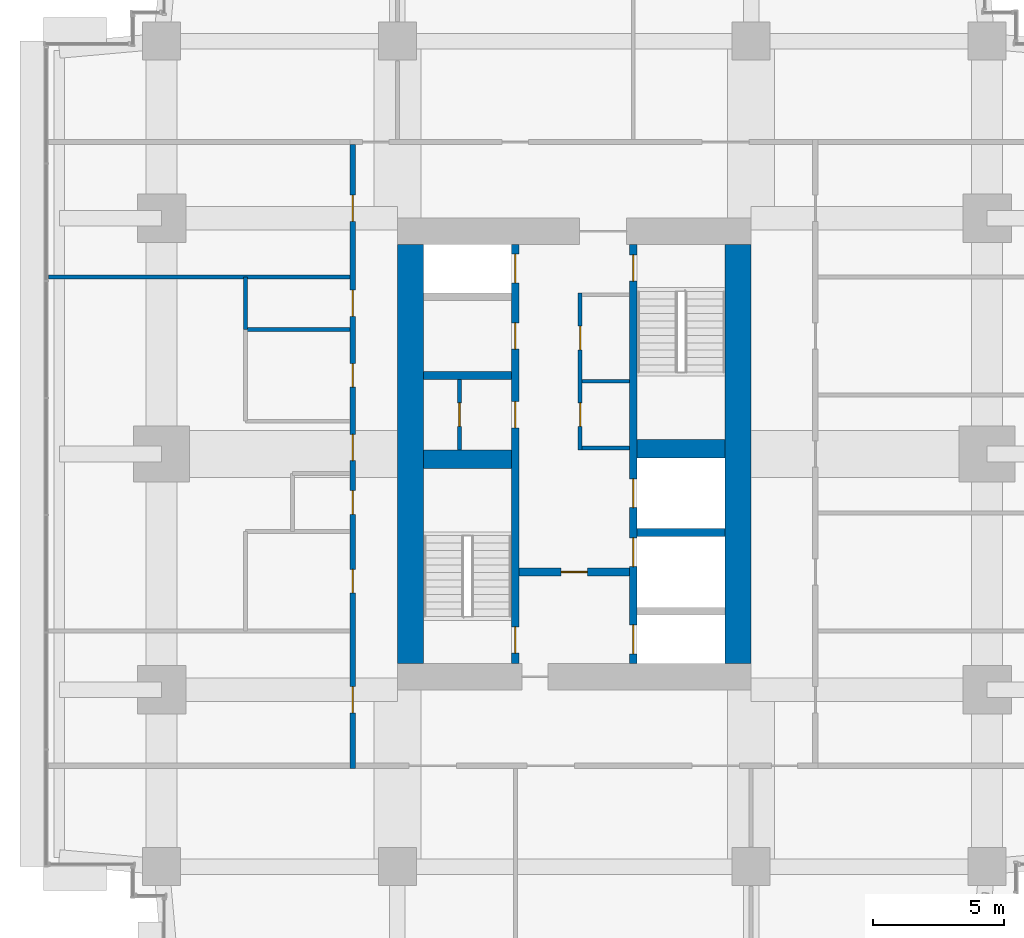
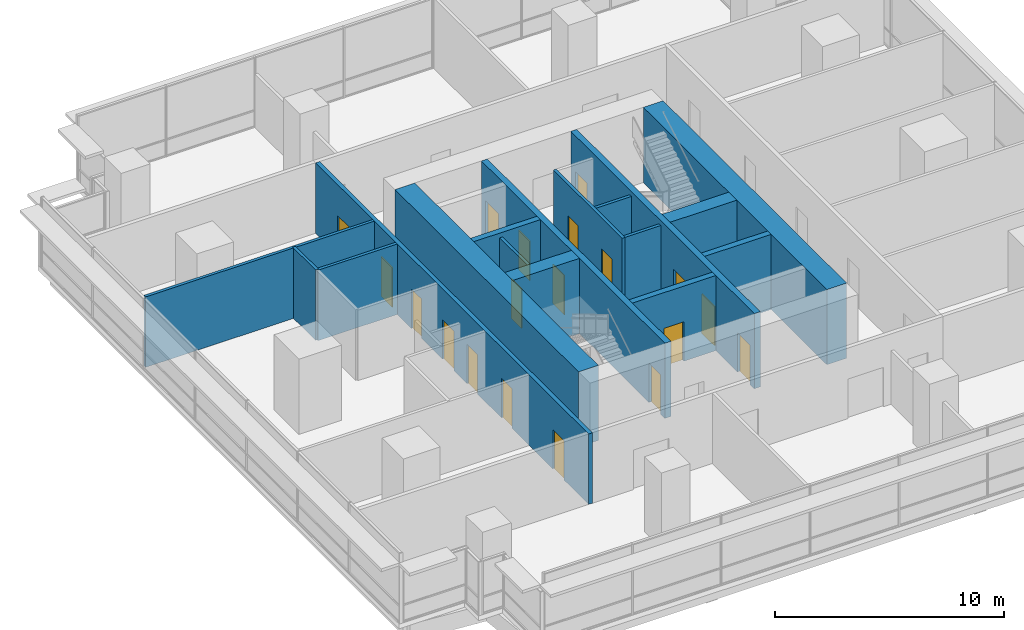
# One storey, part 12 of 14: 19 doors, 17 walls, 19 openings.
"""IFC4 building model written with IfcOpenShell, lengths in metres."""

from ifc_helpers import new_model, si_unit, direction, frame, frame_2d, origin, place, context, subcontext, project, spatial, rectangle, extrude, material, layer, layer_set, type_object, element, fill, save


model = new_model("IFC4")

# Units and contexts
model_context = context("Model", 3, precision=1e-05, world=origin(), true_north=direction((0.0, 1.0)))
body_context = subcontext(model_context, "Body", "Model", "MODEL_VIEW")
ifc_project = project(units=[si_unit("LENGTHUNIT", "METRE"), si_unit("AREAUNIT", "SQUARE_METRE"), si_unit("VOLUMEUNIT", "CUBIC_METRE"), si_unit("PLANEANGLEUNIT", "RADIAN"), si_unit("MASSUNIT", "GRAM", prefix="KILO")], contexts=[model_context])

# Site, building, storey
site_placement = place(None, origin())
site = spatial("IfcSite", under=ifc_project, at=site_placement, CompositionType="ELEMENT")
building_placement = place(site_placement, origin())
building = spatial("IfcBuilding", under=site, at=building_placement, Name="Namib Vertical Campus", CompositionType="ELEMENT")
storey_placement = place(building_placement, frame((0.0, 0.0, 269.0)))
storey = spatial("IfcBuildingStorey", under=building, at=storey_placement, Name="L63", CompositionType="ELEMENT", Elevation=269.0)

# Wall, openings, doors
ifc_material_1 = material(Name="Concrete C60/75", Category="concrete")
ifc_layer_1 = layer(ifc_material_1, 0.300048828125)
ifc_layer_set_1 = layer_set([ifc_layer_1], Name="Concrete C60/75")
wall_type_1 = type_object("IfcWallType", Name="Core inner wall 300", PredefinedType="SHEAR", material=ifc_layer_set_1)
wall_1_placement = place(storey_placement, frame((18.0, 12.25, 0.0), z_axis=(0.0, 0.0, 1.0), x_axis=(0.0, 1.0, 0.0)))
wall_1 = element("IfcWall", 1, at=wall_1_placement, inside=storey, type_object=wall_type_1, Name="Core inner wall A L63 W1", PredefinedType="SHEAR", context=body_context, shape_type="SweptSolid", body=[
    extrude(rectangle(XDim=16.0, YDim=0.300048828125, at=frame_2d((8.0, 0.0))), origin(), (0.0, 0.0, 1.0), 4.0),
])
opening_1_placement = place(wall_1_placement, frame((0.39990234375, 0.0, 0.0)))
opening_1 = element("IfcOpeningElement", 2, at=opening_1_placement, cuts=wall_1, Name="Opening FD1", PredefinedType="OPENING", context=body_context, shape_type="SweptSolid", body=[
    extrude(rectangle(XDim=1.0, YDim=2.10009765625, at=frame_2d((0.5, 1.050048828125))), frame((0.0, 0.159912109375, 0.0), z_axis=(0.0, -1.0, 0.0), x_axis=(1.0, 0.0, 0.0)), (0.0, 0.0, 1.0), 0.320068359375),
])
opening_2_placement = place(wall_1_placement, frame((14.52490234375, 0.0, 0.0)))
opening_2 = element("IfcOpeningElement", 3, at=opening_2_placement, cuts=wall_1, Name="Opening LD1", PredefinedType="OPENING", context=body_context, shape_type="SweptSolid", body=[
    extrude(rectangle(XDim=1.10009765625, YDim=2.10009765625, at=frame_2d((0.550048828125, 1.050048828125))), frame((0.0, 0.159912109375, 0.0), z_axis=(0.0, -1.0, 0.0), x_axis=(1.0, 0.0, 0.0)), (0.0, 0.0, 1.0), 0.320068359375),
])
opening_3_placement = place(wall_1_placement, frame((9.0, 0.0, 0.0)))
opening_3 = element("IfcOpeningElement", 4, at=opening_3_placement, cuts=wall_1, Name="Opening D1", PredefinedType="OPENING", context=body_context, shape_type="SweptSolid", body=[
    extrude(rectangle(XDim=1.0, YDim=2.10009765625, at=frame_2d((0.5, 1.050048828125))), frame((0.0, 0.159912109375, 0.0), z_axis=(0.0, -1.0, 0.0), x_axis=(1.0, 0.0, 0.0)), (0.0, 0.0, 1.0), 0.320068359375),
])
opening_4_placement = place(wall_1_placement, frame((12.0, 0.0, 0.0)))
opening_4 = element("IfcOpeningElement", 5, at=opening_4_placement, cuts=wall_1, Name="Opening D1", PredefinedType="OPENING", context=body_context, shape_type="SweptSolid", body=[
    extrude(rectangle(XDim=1.0, YDim=2.10009765625, at=frame_2d((0.5, 1.050048828125))), frame((0.0, 0.159912109375, 0.0), z_axis=(0.0, -1.0, 0.0), x_axis=(1.0, 0.0, 0.0)), (0.0, 0.0, 1.0), 0.320068359375),
])
ifc_material_2 = material(Name="Timber door leaf", Category="wood")
door_type_1 = type_object("IfcDoorType", Name="Door single 1000x2100", OperationType="SINGLE_SWING_LEFT", PredefinedType="DOOR", material=ifc_material_2)
door_1_placement = place(opening_3_placement, origin())
door_1 = element("IfcDoor", 6, at=door_1_placement, inside=storey, type_object=door_type_1, Name="Door D1 Records store A L63 P1", OperationType="SINGLE_SWING_LEFT", OverallHeight=2.10009765625, OverallWidth=1.0, PredefinedType="DOOR", context=body_context, shape_type="SweptSolid", body=[
    extrude(rectangle(XDim=1.0, YDim=2.10009765625, at=frame_2d((0.5, 1.050048828125))), frame((0.0, 0.02490234375, 0.0), z_axis=(0.0, -1.0, 0.0), x_axis=(1.0, 0.0, 0.0)), (0.0, 0.0, 1.0), 0.050048828125),
])
fill(opening_3, door_1)
door_2_placement = place(opening_4_placement, origin())
door_2 = element("IfcDoor", 7, at=door_2_placement, inside=storey, type_object=door_type_1, Name="Door D1 Staff pantry A L63 P2", OperationType="SINGLE_SWING_LEFT", OverallHeight=2.10009765625, OverallWidth=1.0, PredefinedType="DOOR", context=body_context, shape_type="SweptSolid", body=[
    extrude(rectangle(XDim=1.0, YDim=2.10009765625, at=frame_2d((0.5, 1.050048828125))), frame((0.0, 0.02490234375, 0.0), z_axis=(0.0, -1.0, 0.0), x_axis=(1.0, 0.0, 0.0)), (0.0, 0.0, 1.0), 0.050048828125),
])
fill(opening_4, door_2)
ifc_material_3 = material(Name="Steel fire door", Category="steel")
door_type_2 = type_object("IfcDoorType", Name="Fire door 1000x2100", OperationType="SINGLE_SWING_RIGHT", PredefinedType="DOOR", material=ifc_material_3)
door_3_placement = place(opening_1_placement, origin())
door_3 = element("IfcDoor", 8, at=door_3_placement, inside=storey, type_object=door_type_2, Name="Stair door FD1 A L63 S1", OperationType="SINGLE_SWING_LEFT", OverallHeight=2.10009765625, OverallWidth=1.0, PredefinedType="DOOR", context=body_context, shape_type="SweptSolid", body=[
    extrude(rectangle(XDim=1.0, YDim=2.10009765625, at=frame_2d((0.5, 1.050048828125))), frame((0.0, 0.02490234375, 0.0), z_axis=(0.0, -1.0, 0.0), x_axis=(1.0, 0.0, 0.0)), (0.0, 0.0, 1.0), 0.050048828125),
])
fill(opening_1, door_3)
ifc_material_4 = material(Name="Stainless steel lift door", Category="steel")
door_type_3 = type_object("IfcDoorType", Name="Lift landing door 1100x2100", OperationType="DOUBLE_DOOR_SLIDING", PredefinedType="DOOR", material=ifc_material_4)
door_4_placement = place(opening_2_placement, origin())
door_4 = element("IfcDoor", 9, at=door_4_placement, inside=storey, type_object=door_type_3, Name="Lift landing door LD1 A-P3 L63", OperationType="DOUBLE_DOOR_SLIDING", OverallHeight=2.10009765625, OverallWidth=1.10009765625, PredefinedType="DOOR", context=body_context, shape_type="SweptSolid", body=[
    extrude(rectangle(XDim=1.10009765625, YDim=2.10009765625, at=frame_2d((0.550048828125, 1.050048828125))), frame((0.0, 0.02490234375, 0.0), z_axis=(0.0, -1.0, 0.0), x_axis=(1.0, 0.0, 0.0)), (0.0, 0.0, 1.0), 0.050048828125),
])
fill(opening_2, door_4)

wall_2_placement = place(storey_placement, frame((22.5, 12.25, 0.0), z_axis=(0.0, 0.0, 1.0), x_axis=(0.0, 1.0, 0.0)))
wall_2 = element("IfcWall", 10, at=wall_2_placement, inside=storey, type_object=wall_type_1, Name="Core inner wall A L63 W2", PredefinedType="SHEAR", context=body_context, shape_type="SweptSolid", body=[
    extrude(rectangle(XDim=16.0, YDim=0.300048828125, at=frame_2d((8.0, 0.0))), origin(), (0.0, 0.0, 1.0), 4.0),
])
opening_5_placement = place(wall_2_placement, frame((14.60009765625, 0.0, 0.0)))
opening_5 = element("IfcOpeningElement", 11, at=opening_5_placement, cuts=wall_2, Name="Opening FD1", PredefinedType="OPENING", context=body_context, shape_type="SweptSolid", body=[
    extrude(rectangle(XDim=1.0, YDim=2.10009765625, at=frame_2d((0.5, 1.050048828125))), frame((0.0, 0.159912109375, 0.0), z_axis=(0.0, -1.0, 0.0), x_axis=(1.0, 0.0, 0.0)), (0.0, 0.0, 1.0), 0.320068359375),
])
opening_6_placement = place(wall_2_placement, frame((0.375, 0.0, 0.0)))
opening_6 = element("IfcOpeningElement", 12, at=opening_6_placement, cuts=wall_2, Name="Opening LD1", PredefinedType="OPENING", context=body_context, shape_type="SweptSolid", body=[
    extrude(rectangle(XDim=1.10009765625, YDim=2.10009765625, at=frame_2d((0.550048828125, 1.050048828125))), frame((0.0, 0.159912109375, 0.0), z_axis=(0.0, -1.0, 0.0), x_axis=(1.0, 0.0, 0.0)), (0.0, 0.0, 1.0), 0.320068359375),
])
opening_7_placement = place(wall_2_placement, frame((3.699951171875, 0.0, 0.0)))
opening_7 = element("IfcOpeningElement", 13, at=opening_7_placement, cuts=wall_2, Name="Opening LD1", PredefinedType="OPENING", context=body_context, shape_type="SweptSolid", body=[
    extrude(rectangle(XDim=1.10009765625, YDim=2.10009765625, at=frame_2d((0.550048828125, 1.050048828125))), frame((0.0, 0.159912109375, 0.0), z_axis=(0.0, -1.0, 0.0), x_axis=(1.0, 0.0, 0.0)), (0.0, 0.0, 1.0), 0.320068359375),
])
opening_8_placement = place(wall_2_placement, frame((5.949951171875, 0.0, 0.0)))
opening_8 = element("IfcOpeningElement", 14, at=opening_8_placement, cuts=wall_2, Name="Opening LD1", PredefinedType="OPENING", context=body_context, shape_type="SweptSolid", body=[
    extrude(rectangle(XDim=1.10009765625, YDim=2.10009765625, at=frame_2d((0.550048828125, 1.050048828125))), frame((0.0, 0.159912109375, 0.0), z_axis=(0.0, -1.0, 0.0), x_axis=(1.0, 0.0, 0.0)), (0.0, 0.0, 1.0), 0.320068359375),
])
door_5_placement = place(opening_5_placement, frame((1.0, 0.0, 0.0), z_axis=(0.0, 0.0, 1.0), x_axis=(-1.0, 0.0, 0.0)))
door_5 = element("IfcDoor", 15, at=door_5_placement, inside=storey, type_object=door_type_2, Name="Stair door FD1 A L63 S2", OperationType="SINGLE_SWING_LEFT", OverallHeight=2.10009765625, OverallWidth=1.0, PredefinedType="DOOR", context=body_context, shape_type="SweptSolid", body=[
    extrude(rectangle(XDim=1.0, YDim=2.10009765625, at=frame_2d((0.5, 1.050048828125))), frame((0.0, 0.02490234375, 0.0), z_axis=(0.0, -1.0, 0.0), x_axis=(1.0, 0.0, 0.0)), (0.0, 0.0, 1.0), 0.050048828125),
])
fill(opening_5, door_5)
door_6_placement = place(opening_6_placement, origin())
door_6 = element("IfcDoor", 16, at=door_6_placement, inside=storey, type_object=door_type_3, Name="Lift landing door LD1 A-FL1 L63", OperationType="DOUBLE_DOOR_SLIDING", OverallHeight=2.10009765625, OverallWidth=1.10009765625, PredefinedType="DOOR", context=body_context, shape_type="SweptSolid", body=[
    extrude(rectangle(XDim=1.10009765625, YDim=2.10009765625, at=frame_2d((0.550048828125, 1.050048828125))), frame((0.0, 0.02490234375, 0.0), z_axis=(0.0, -1.0, 0.0), x_axis=(1.0, 0.0, 0.0)), (0.0, 0.0, 1.0), 0.050048828125),
])
fill(opening_6, door_6)
door_7_placement = place(opening_7_placement, origin())
door_7 = element("IfcDoor", 17, at=door_7_placement, inside=storey, type_object=door_type_3, Name="Lift landing door LD1 A-P4 L63", OperationType="DOUBLE_DOOR_SLIDING", OverallHeight=2.10009765625, OverallWidth=1.10009765625, PredefinedType="DOOR", context=body_context, shape_type="SweptSolid", body=[
    extrude(rectangle(XDim=1.10009765625, YDim=2.10009765625, at=frame_2d((0.550048828125, 1.050048828125))), frame((0.0, 0.02490234375, 0.0), z_axis=(0.0, -1.0, 0.0), x_axis=(1.0, 0.0, 0.0)), (0.0, 0.0, 1.0), 0.050048828125),
])
fill(opening_7, door_7)
door_8_placement = place(opening_8_placement, origin())
door_8 = element("IfcDoor", 18, at=door_8_placement, inside=storey, type_object=door_type_3, Name="Lift landing door LD1 A-P5 L63", OperationType="DOUBLE_DOOR_SLIDING", OverallHeight=2.10009765625, OverallWidth=1.10009765625, PredefinedType="DOOR", context=body_context, shape_type="SweptSolid", body=[
    extrude(rectangle(XDim=1.10009765625, YDim=2.10009765625, at=frame_2d((0.550048828125, 1.050048828125))), frame((0.0, 0.02490234375, 0.0), z_axis=(0.0, -1.0, 0.0), x_axis=(1.0, 0.0, 0.0)), (0.0, 0.0, 1.0), 0.050048828125),
])
fill(opening_8, door_8)

# Wall, opening, door
wall_3_placement = place(storey_placement, frame((18.14990234375, 15.75, 0.0), z_axis=(0.0, 0.0, 1.0), x_axis=(1.0, 0.0, 0.0)))
wall_3 = element("IfcWall", 19, at=wall_3_placement, inside=storey, type_object=wall_type_1, Name="Core inner wall A L63 W4", PredefinedType="SHEAR", context=body_context, shape_type="SweptSolid", body=[
    extrude(rectangle(XDim=4.2001953125, YDim=0.300048828125, at=frame_2d((2.10009765625, 0.0))), origin(), (0.0, 0.0, 1.0), 4.0),
])
opening_9_placement = place(wall_3_placement, frame((1.60009765625, 0.0, 0.0)))
opening_9 = element("IfcOpeningElement", 20, at=opening_9_placement, cuts=wall_3, Name="Opening FD5", PredefinedType="OPENING", context=body_context, shape_type="SweptSolid", body=[
    extrude(rectangle(XDim=1.0, YDim=2.10009765625, at=frame_2d((0.5, 1.050048828125))), frame((0.0, 0.159912109375, 0.0), z_axis=(0.0, -1.0, 0.0), x_axis=(1.0, 0.0, 0.0)), (0.0, 0.0, 1.0), 0.320068359375),
])
ifc_material_5 = material(Name="Steel fire door", Category="steel")
door_type_4 = type_object("IfcDoorType", Name="Fire door 1000x2100 120 min", OperationType="SINGLE_SWING_RIGHT", PredefinedType="DOOR", material=ifc_material_5)
door_9_placement = place(opening_9_placement, frame((1.0, 0.0, 0.0), z_axis=(0.0, 0.0, 1.0), x_axis=(-1.0, 0.0, 0.0)))
door_9 = element("IfcDoor", 21, at=door_9_placement, inside=storey, type_object=door_type_4, Name="Lobby door FD5 A L63", OperationType="SINGLE_SWING_RIGHT", OverallHeight=2.10009765625, OverallWidth=1.0, PredefinedType="DOOR", context=body_context, shape_type="SweptSolid", body=[
    extrude(rectangle(XDim=1.0, YDim=2.10009765625, at=frame_2d((0.5, 1.050048828125))), frame((0.0, 0.02490234375, 0.0), z_axis=(0.0, -1.0, 0.0), x_axis=(1.0, 0.0, 0.0)), (0.0, 0.0, 1.0), 0.050048828125),
])
fill(opening_9, door_9)

# Walls
for number, where, z_axis, x_axis, name in (
    (22, (22.64990234375, 17.25, 0.0), (0.0, 0.0, 1.0), (1.0, 0.0, 0.0), "Core inner wall A L63 W6"),
    (23, (14.5, 23.25, 0.0), (0.0, 0.0, 1.0), (1.0, 0.0, 0.0), "Core inner wall A L63 W8"),
):
    element("IfcWall", number, at=place(storey_placement, frame(where, z_axis=z_axis, x_axis=x_axis)), inside=storey, type_object=wall_type_1, Name=name, PredefinedType="SHEAR", context=body_context, shape_type="SweptSolid", body=[
        extrude(rectangle(XDim=3.35009765625, YDim=0.300048828125, at=frame_2d((1.675048828125, 0.0))), origin(), (0.0, 0.0, 1.0), 4.0),
    ])
ifc_material_6 = material(Name="Concrete C60/75", Category="concrete")
ifc_layer_2 = layer(ifc_material_6, 0.699951171875)
ifc_layer_set_2 = layer_set([ifc_layer_2], Name="Concrete C60/75")
wall_type_2 = type_object("IfcWallType", Name="Core shear wall 700", PredefinedType="SHEAR", material=ifc_layer_set_2)
for number, where, z_axis, x_axis, name in (
    (24, (14.5, 20.050048828125, 0.0), (0.0, 0.0, 1.0), (1.0, 0.0, 0.0), "Core shear wall A L63 W3"),
    (25, (22.64990234375, 20.449951171875, 0.0), (0.0, 0.0, 1.0), (1.0, 0.0, 0.0), "Core shear wall A L63 W7"),
):
    element("IfcWall", number, at=place(storey_placement, frame(where, z_axis=z_axis, x_axis=x_axis)), inside=storey, type_object=wall_type_2, Name=name, PredefinedType="SHEAR", context=body_context, shape_type="SweptSolid", body=[
        extrude(rectangle(XDim=3.35009765625, YDim=0.699951171875, at=frame_2d((1.675048828125, 0.0))), origin(), (0.0, 0.0, 1.0), 4.0),
    ])
ifc_material_7 = material(Name="Concrete C60/75", Category="concrete")
ifc_layer_3 = layer(ifc_material_7, 1.0)
ifc_layer_set_3 = layer_set([ifc_layer_3], Name="Concrete C60/75")
wall_type_3 = type_object("IfcWallType", Name="Core wall 1000", PredefinedType="SHEAR", material=ifc_layer_set_3)
for number, where, z_axis, x_axis, name in (
    (26, (26.5, 12.25, 0.0), (0.0, 0.0, 1.0), (0.0, 1.0, 0.0), "Core wall A L63 2"),
    (27, (14.0, 28.25, 0.0), (0.0, 0.0, 1.0), (0.0, -1.0, 0.0), "Core wall A L63 4"),
):
    element("IfcWall", number, at=place(storey_placement, frame(where, z_axis=z_axis, x_axis=x_axis)), inside=storey, type_object=wall_type_3, Name=name, PredefinedType="SHEAR", context=body_context, shape_type="SweptSolid", body=[
        extrude(rectangle(XDim=16.0, YDim=1.0, at=frame_2d((8.0, 0.0))), origin(), (0.0, 0.0, 1.0), 4.0),
    ])

# Wall, openings, doors
ifc_material_8 = material(Name="Concrete masonry", Category="masonry")
ifc_layer_4 = layer(ifc_material_8, 0.199951171875)
ifc_layer_set_4 = layer_set([ifc_layer_4], Name="Corridor wall 200")
wall_type_4 = type_object("IfcWallType", Name="Corridor wall 200", PredefinedType="SOLIDWALL", material=ifc_layer_set_4)
wall_4_placement = place(storey_placement, frame((11.800048828125, 32.050048828125, 0.0), z_axis=(0.0, 0.0, 1.0), x_axis=(0.0, -1.0, 0.0)))
wall_4 = element("IfcWall", 28, at=wall_4_placement, inside=storey, type_object=wall_type_4, Name="Corridor wall A L63 CW", PredefinedType="SOLIDWALL", context=body_context, shape_type="SweptSolid", body=[
    extrude(rectangle(XDim=23.800048828125, YDim=0.199951171875, at=frame_2d((11.89990234375, 0.0))), origin(), (0.0, 0.0, 1.0), 3.75),
])
opening_10_placement = place(wall_4_placement, frame((20.675048828125, 0.0, 0.0)))
opening_10 = element("IfcOpeningElement", 29, at=opening_10_placement, cuts=wall_4, Name="Opening CD1", PredefinedType="OPENING", context=body_context, shape_type="SweptSolid", body=[
    extrude(rectangle(XDim=1.0, YDim=2.10009765625, at=frame_2d((0.5, 1.050048828125))), frame((0.0, 0.10986328125, 0.0), z_axis=(0.0, -1.0, 0.0), x_axis=(1.0, 0.0, 0.0)), (0.0, 0.0, 1.0), 0.219970703125),
])
opening_11_placement = place(wall_4_placement, frame((16.199951171875, 0.0, 0.0)))
opening_11 = element("IfcOpeningElement", 30, at=opening_11_placement, cuts=wall_4, Name="Opening CD3", PredefinedType="OPENING", context=body_context, shape_type="SweptSolid", body=[
    extrude(rectangle(XDim=0.89990234375, YDim=2.10009765625, at=frame_2d((0.449951171875, 1.050048828125))), frame((0.0, 0.10986328125, 0.0), z_axis=(0.0, -1.0, 0.0), x_axis=(1.0, 0.0, 0.0)), (0.0, 0.0, 1.0), 0.219970703125),
])
opening_12_placement = place(wall_4_placement, frame((13.199951171875, 0.0, 0.0)))
opening_12 = element("IfcOpeningElement", 31, at=opening_12_placement, cuts=wall_4, Name="Opening CD3", PredefinedType="OPENING", context=body_context, shape_type="SweptSolid", body=[
    extrude(rectangle(XDim=0.89990234375, YDim=2.10009765625, at=frame_2d((0.449951171875, 1.050048828125))), frame((0.0, 0.10986328125, 0.0), z_axis=(0.0, -1.0, 0.0), x_axis=(1.0, 0.0, 0.0)), (0.0, 0.0, 1.0), 0.219970703125),
])
opening_13_placement = place(wall_4_placement, frame((8.35009765625, 0.0, 0.0)))
opening_13 = element("IfcOpeningElement", 32, at=opening_13_placement, cuts=wall_4, Name="Opening CD3", PredefinedType="OPENING", context=body_context, shape_type="SweptSolid", body=[
    extrude(rectangle(XDim=0.89990234375, YDim=2.10009765625, at=frame_2d((0.449951171875, 1.050048828125))), frame((0.0, 0.10986328125, 0.0), z_axis=(0.0, -1.0, 0.0), x_axis=(1.0, 0.0, 0.0)), (0.0, 0.0, 1.0), 0.219970703125),
])
opening_14_placement = place(wall_4_placement, frame((5.550048828125, 0.0, 0.0)))
opening_14 = element("IfcOpeningElement", 33, at=opening_14_placement, cuts=wall_4, Name="Opening CD1", PredefinedType="OPENING", context=body_context, shape_type="SweptSolid", body=[
    extrude(rectangle(XDim=1.0, YDim=2.10009765625, at=frame_2d((0.5, 1.050048828125))), frame((0.0, 0.10986328125, 0.0), z_axis=(0.0, -1.0, 0.0), x_axis=(1.0, 0.0, 0.0)), (0.0, 0.0, 1.0), 0.219970703125),
])
opening_15_placement = place(wall_4_placement, frame((11.050048828125, 0.0, 0.0)))
opening_15 = element("IfcOpeningElement", 34, at=opening_15_placement, cuts=wall_4, Name="Opening CD1", PredefinedType="OPENING", context=body_context, shape_type="SweptSolid", body=[
    extrude(rectangle(XDim=1.0, YDim=2.10009765625, at=frame_2d((0.5, 1.050048828125))), frame((0.0, 0.10986328125, 0.0), z_axis=(0.0, -1.0, 0.0), x_axis=(1.0, 0.0, 0.0)), (0.0, 0.0, 1.0), 0.219970703125),
])
opening_16_placement = place(wall_4_placement, frame((1.925048828125, 0.0, 0.0)))
opening_16 = element("IfcOpeningElement", 35, at=opening_16_placement, cuts=wall_4, Name="Opening CD1", PredefinedType="OPENING", context=body_context, shape_type="SweptSolid", body=[
    extrude(rectangle(XDim=1.0, YDim=2.10009765625, at=frame_2d((0.5, 1.050048828125))), frame((0.0, 0.10986328125, 0.0), z_axis=(0.0, -1.0, 0.0), x_axis=(1.0, 0.0, 0.0)), (0.0, 0.0, 1.0), 0.219970703125),
])
ifc_material_9 = material(Name="Timber fire door leaf", Category="wood")
door_type_5 = type_object("IfcDoorType", Name="Corridor door 1000x2100 20 min", OperationType="SINGLE_SWING_LEFT", PredefinedType="DOOR", material=ifc_material_9)
door_10_placement = place(opening_10_placement, frame((1.0, 0.0, 0.0), z_axis=(0.0, 0.0, 1.0), x_axis=(-1.0, 0.0, 0.0)))
door_10 = element("IfcDoor", 36, at=door_10_placement, inside=storey, type_object=door_type_5, Name="Door CD1 A63-12", OperationType="SINGLE_SWING_RIGHT", OverallHeight=2.10009765625, OverallWidth=1.0, PredefinedType="DOOR", context=body_context, shape_type="SweptSolid", body=[
    extrude(rectangle(XDim=1.0, YDim=2.10009765625, at=frame_2d((0.5, 1.050048828125))), frame((0.0, 0.02490234375, 0.0), z_axis=(0.0, -1.0, 0.0), x_axis=(1.0, 0.0, 0.0)), (0.0, 0.0, 1.0), 0.050048828125),
])
fill(opening_10, door_10)
door_11_placement = place(opening_14_placement, frame((1.0, 0.0, 0.0), z_axis=(0.0, 0.0, 1.0), x_axis=(-1.0, 0.0, 0.0)))
door_11 = element("IfcDoor", 37, at=door_11_placement, inside=storey, type_object=door_type_5, Name="Door CD1 A63-16", OperationType="SINGLE_SWING_RIGHT", OverallHeight=2.10009765625, OverallWidth=1.0, PredefinedType="DOOR", context=body_context, shape_type="SweptSolid", body=[
    extrude(rectangle(XDim=1.0, YDim=2.10009765625, at=frame_2d((0.5, 1.050048828125))), frame((0.0, 0.02490234375, 0.0), z_axis=(0.0, -1.0, 0.0), x_axis=(1.0, 0.0, 0.0)), (0.0, 0.0, 1.0), 0.050048828125),
])
fill(opening_14, door_11)
door_12_placement = place(opening_15_placement, frame((1.0, 0.0, 0.0), z_axis=(0.0, 0.0, 1.0), x_axis=(-1.0, 0.0, 0.0)))
door_12 = element("IfcDoor", 38, at=door_12_placement, inside=storey, type_object=door_type_5, Name="Door CD1 A63-17", OperationType="SINGLE_SWING_RIGHT", OverallHeight=2.10009765625, OverallWidth=1.0, PredefinedType="DOOR", context=body_context, shape_type="SweptSolid", body=[
    extrude(rectangle(XDim=1.0, YDim=2.10009765625, at=frame_2d((0.5, 1.050048828125))), frame((0.0, 0.02490234375, 0.0), z_axis=(0.0, -1.0, 0.0), x_axis=(1.0, 0.0, 0.0)), (0.0, 0.0, 1.0), 0.050048828125),
])
fill(opening_15, door_12)
door_13_placement = place(opening_16_placement, frame((1.0, 0.0, 0.0), z_axis=(0.0, 0.0, 1.0), x_axis=(-1.0, 0.0, 0.0)))
door_13 = element("IfcDoor", 39, at=door_13_placement, inside=storey, type_object=door_type_5, Name="Door CD1 A63-18", OperationType="SINGLE_SWING_RIGHT", OverallHeight=2.10009765625, OverallWidth=1.0, PredefinedType="DOOR", context=body_context, shape_type="SweptSolid", body=[
    extrude(rectangle(XDim=1.0, YDim=2.10009765625, at=frame_2d((0.5, 1.050048828125))), frame((0.0, 0.02490234375, 0.0), z_axis=(0.0, -1.0, 0.0), x_axis=(1.0, 0.0, 0.0)), (0.0, 0.0, 1.0), 0.050048828125),
])
fill(opening_16, door_13)
ifc_material_10 = material(Name="Timber fire door leaf", Category="wood")
door_type_6 = type_object("IfcDoorType", Name="Corridor toilet door 900x2100 20 min", OperationType="SINGLE_SWING_LEFT", PredefinedType="DOOR", material=ifc_material_10)
door_14_placement = place(opening_11_placement, frame((0.89990234375, 0.0, 0.0), z_axis=(0.0, 0.0, 1.0), x_axis=(-1.0, 0.0, 0.0)))
door_14 = element("IfcDoor", 40, at=door_14_placement, inside=storey, type_object=door_type_6, Name="Door CD3 A63-13", OperationType="SINGLE_SWING_RIGHT", OverallHeight=2.10009765625, OverallWidth=0.89990234375, PredefinedType="DOOR", context=body_context, shape_type="SweptSolid", body=[
    extrude(rectangle(XDim=0.89990234375, YDim=2.10009765625, at=frame_2d((0.449951171875, 1.050048828125))), frame((0.0, 0.02490234375, 0.0), z_axis=(0.0, -1.0, 0.0), x_axis=(1.0, 0.0, 0.0)), (0.0, 0.0, 1.0), 0.050048828125),
])
fill(opening_11, door_14)
door_15_placement = place(opening_12_placement, frame((0.89990234375, 0.0, 0.0), z_axis=(0.0, 0.0, 1.0), x_axis=(-1.0, 0.0, 0.0)))
door_15 = element("IfcDoor", 41, at=door_15_placement, inside=storey, type_object=door_type_6, Name="Door CD3 A63-14", OperationType="SINGLE_SWING_RIGHT", OverallHeight=2.10009765625, OverallWidth=0.89990234375, PredefinedType="DOOR", context=body_context, shape_type="SweptSolid", body=[
    extrude(rectangle(XDim=0.89990234375, YDim=2.10009765625, at=frame_2d((0.449951171875, 1.050048828125))), frame((0.0, 0.02490234375, 0.0), z_axis=(0.0, -1.0, 0.0), x_axis=(1.0, 0.0, 0.0)), (0.0, 0.0, 1.0), 0.050048828125),
])
fill(opening_12, door_15)
door_16_placement = place(opening_13_placement, frame((0.89990234375, 0.0, 0.0), z_axis=(0.0, 0.0, 1.0), x_axis=(-1.0, 0.0, 0.0)))
door_16 = element("IfcDoor", 42, at=door_16_placement, inside=storey, type_object=door_type_6, Name="Door CD3 A63-15", OperationType="SINGLE_SWING_RIGHT", OverallHeight=2.10009765625, OverallWidth=0.89990234375, PredefinedType="DOOR", context=body_context, shape_type="SweptSolid", body=[
    extrude(rectangle(XDim=0.89990234375, YDim=2.10009765625, at=frame_2d((0.449951171875, 1.050048828125))), frame((0.0, 0.02490234375, 0.0), z_axis=(0.0, -1.0, 0.0), x_axis=(1.0, 0.0, 0.0)), (0.0, 0.0, 1.0), 0.050048828125),
])
fill(opening_13, door_16)

ifc_material_11 = material(Name="Gypsum board on steel studs", Category="steel")
ifc_layer_5 = layer(ifc_material_11, 0.14990234375)
ifc_layer_set_5 = layer_set([ifc_layer_5], Name="Gypsum board on steel studs")
wall_type_5 = type_object("IfcWallType", Name="Partition 150", PredefinedType="PARTITIONING", material=ifc_layer_set_5)
wall_5_placement = place(storey_placement, frame((20.47509765625, 20.39990234375, 0.0), z_axis=(0.0, 0.0, 1.0), x_axis=(0.0, 1.0, 0.0)))
wall_5 = element("IfcWall", 43, at=wall_5_placement, inside=storey, type_object=wall_type_5, Name="Partition A L63 Comms room and Store front", PredefinedType="PARTITIONING", context=body_context, shape_type="SweptSolid", body=[
    extrude(rectangle(XDim=6.0, YDim=0.14990234375, at=frame_2d((3.0, 0.0))), origin(), (0.0, 0.0, 1.0), 3.75),
])
opening_17_placement = place(wall_5_placement, frame((0.89990234375, 0.0, 0.0)))
opening_17 = element("IfcOpeningElement", 44, at=opening_17_placement, cuts=wall_5, Name="Opening D3", PredefinedType="OPENING", context=body_context, shape_type="SweptSolid", body=[
    extrude(rectangle(XDim=0.89990234375, YDim=2.10009765625, at=frame_2d((0.449951171875, 1.050048828125))), frame((0.0, 0.0849609375, 0.0), z_axis=(0.0, -1.0, 0.0), x_axis=(1.0, 0.0, 0.0)), (0.0, 0.0, 1.0), 0.169921875),
])
opening_18_placement = place(wall_5_placement, frame((3.824951171875, 0.0, 0.0)))
opening_18 = element("IfcOpeningElement", 45, at=opening_18_placement, cuts=wall_5, Name="Opening D3", PredefinedType="OPENING", context=body_context, shape_type="SweptSolid", body=[
    extrude(rectangle(XDim=0.89990234375, YDim=2.10009765625, at=frame_2d((0.449951171875, 1.050048828125))), frame((0.0, 0.0849609375, 0.0), z_axis=(0.0, -1.0, 0.0), x_axis=(1.0, 0.0, 0.0)), (0.0, 0.0, 1.0), 0.169921875),
])
ifc_material_12 = material(Name="Timber door leaf", Category="wood")
door_type_7 = type_object("IfcDoorType", Name="Toilet door 900x2100", OperationType="SINGLE_SWING_LEFT", PredefinedType="DOOR", material=ifc_material_12)
door_17_placement = place(opening_17_placement, frame((0.89990234375, 0.0, 0.0), z_axis=(0.0, 0.0, 1.0), x_axis=(-1.0, 0.0, 0.0)))
door_17 = element("IfcDoor", 46, at=door_17_placement, inside=storey, type_object=door_type_7, Name="Door D3 Comms room A L63", OperationType="SINGLE_SWING_RIGHT", OverallHeight=2.10009765625, OverallWidth=0.89990234375, PredefinedType="DOOR", context=body_context, shape_type="SweptSolid", body=[
    extrude(rectangle(XDim=0.89990234375, YDim=2.10009765625, at=frame_2d((0.449951171875, 1.050048828125))), frame((0.0, 0.02490234375, 0.0), z_axis=(0.0, -1.0, 0.0), x_axis=(1.0, 0.0, 0.0)), (0.0, 0.0, 1.0), 0.050048828125),
])
fill(opening_17, door_17)
door_18_placement = place(opening_18_placement, frame((0.89990234375, 0.0, 0.0), z_axis=(0.0, 0.0, 1.0), x_axis=(-1.0, 0.0, 0.0)))
door_18 = element("IfcDoor", 47, at=door_18_placement, inside=storey, type_object=door_type_7, Name="Door D3 Store A L63", OperationType="SINGLE_SWING_RIGHT", OverallHeight=2.10009765625, OverallWidth=0.89990234375, PredefinedType="DOOR", context=body_context, shape_type="SweptSolid", body=[
    extrude(rectangle(XDim=0.89990234375, YDim=2.10009765625, at=frame_2d((0.449951171875, 1.050048828125))), frame((0.0, 0.02490234375, 0.0), z_axis=(0.0, -1.0, 0.0), x_axis=(1.0, 0.0, 0.0)), (0.0, 0.0, 1.0), 0.050048828125),
])
fill(opening_18, door_18)

# Walls
for number, where, z_axis, x_axis, name in (
    (48, (20.550048828125, 20.47509765625, 0.0), (0.0, 0.0, 1.0), (1.0, 0.0, 0.0), "Partition A L63 Comms room and Store end 1"),
    (49, (20.550048828125, 23.02490234375, 0.0), (0.0, 0.0, 1.0), (1.0, 0.0, 0.0), "Partition A L63 Comms room and Store division 2"),
):
    element("IfcWall", number, at=place(storey_placement, frame(where, z_axis=z_axis, x_axis=x_axis)), inside=storey, type_object=wall_type_5, Name=name, PredefinedType="PARTITIONING", context=body_context, shape_type="SweptSolid", body=[
        extrude(rectangle(XDim=1.800048828125, YDim=0.14990234375, at=frame_2d((0.89990234375, 0.0))), origin(), (0.0, 0.0, 1.0), 3.75),
    ])

# Wall, opening, door
wall_6_placement = place(storey_placement, frame((15.875, 20.39990234375, 0.0), z_axis=(0.0, 0.0, 1.0), x_axis=(0.0, 1.0, 0.0)))
wall_6 = element("IfcWall", 50, at=wall_6_placement, inside=storey, type_object=wall_type_5, Name="Partition A L63 Records store P1 back", PredefinedType="PARTITIONING", context=body_context, shape_type="SweptSolid", body=[
    extrude(rectangle(XDim=2.7001953125, YDim=0.14990234375, at=frame_2d((1.35009765625, 0.0))), origin(), (0.0, 0.0, 1.0), 3.75),
])
opening_19_placement = place(wall_6_placement, frame((0.89990234375, 0.0, 0.0)))
opening_19 = element("IfcOpeningElement", 51, at=opening_19_placement, cuts=wall_6, Name="Opening D3", PredefinedType="OPENING", context=body_context, shape_type="SweptSolid", body=[
    extrude(rectangle(XDim=0.89990234375, YDim=2.10009765625, at=frame_2d((0.449951171875, 1.050048828125))), frame((0.0, 0.0849609375, 0.0), z_axis=(0.0, -1.0, 0.0), x_axis=(1.0, 0.0, 0.0)), (0.0, 0.0, 1.0), 0.169921875),
])
door_19_placement = place(opening_19_placement, origin())
door_19 = element("IfcDoor", 52, at=door_19_placement, inside=storey, type_object=door_type_7, Name="Door D3 Store A L63 P1", OperationType="SINGLE_SWING_LEFT", OverallHeight=2.10009765625, OverallWidth=0.89990234375, PredefinedType="DOOR", context=body_context, shape_type="SweptSolid", body=[
    extrude(rectangle(XDim=0.89990234375, YDim=2.10009765625, at=frame_2d((0.449951171875, 1.050048828125))), frame((0.0, 0.02490234375, 0.0), z_axis=(0.0, -1.0, 0.0), x_axis=(1.0, 0.0, 0.0)), (0.0, 0.0, 1.0), 0.050048828125),
])
fill(opening_19, door_19)

# Walls
wall_7_placement = place(storey_placement, frame((0.179931640625, 27.0, 0.0), z_axis=(0.0, 0.0, 1.0), x_axis=(1.0, 0.0, 0.0)))
element("IfcWall", 53, at=wall_7_placement, inside=storey, type_object=wall_type_5, Name="Partition A L63 PW2", PredefinedType="PARTITIONING", context=body_context, shape_type="SweptSolid", body=[
    extrude(rectangle(XDim=11.52001953125, YDim=0.14990234375, at=frame_2d((5.760009765625, 0.0))), origin(), (0.0, 0.0, 1.0), 3.75),
])
wall_8_placement = place(storey_placement, frame((11.699951171875, 25.0, 0.0), z_axis=(0.0, 0.0, 1.0), x_axis=(-1.0, 0.0, 0.0)))
element("IfcWall", 54, at=wall_8_placement, inside=storey, type_object=wall_type_5, Name="Partition A L63 WR4", PredefinedType="PARTITIONING", context=body_context, shape_type="SweptSolid", body=[
    extrude(rectangle(XDim=4.0, YDim=0.14990234375, at=frame_2d((2.0, 0.0))), origin(), (0.0, 0.0, 1.0), 3.75),
])
wall_9_placement = place(storey_placement, frame((7.699951171875, 25.0, 0.0), z_axis=(0.0, 0.0, 1.0), x_axis=(0.0, 1.0, 0.0)))
element("IfcWall", 55, at=wall_9_placement, inside=storey, type_object=wall_type_5, Name="Partition A L63 WB4", PredefinedType="PARTITIONING", context=body_context, shape_type="SweptSolid", body=[
    extrude(rectangle(XDim=2.0, YDim=0.14990234375, at=frame_2d((1.0, 0.0))), origin(), (0.0, 0.0, 1.0), 3.75),
])

save(model, "model.ifc")
